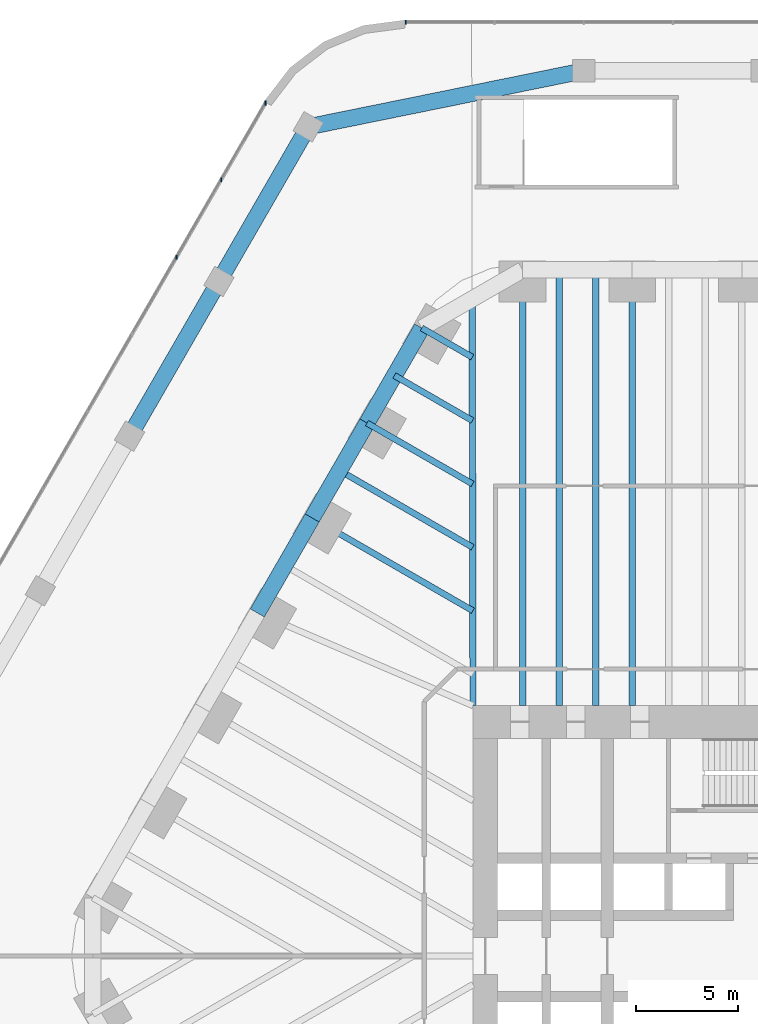
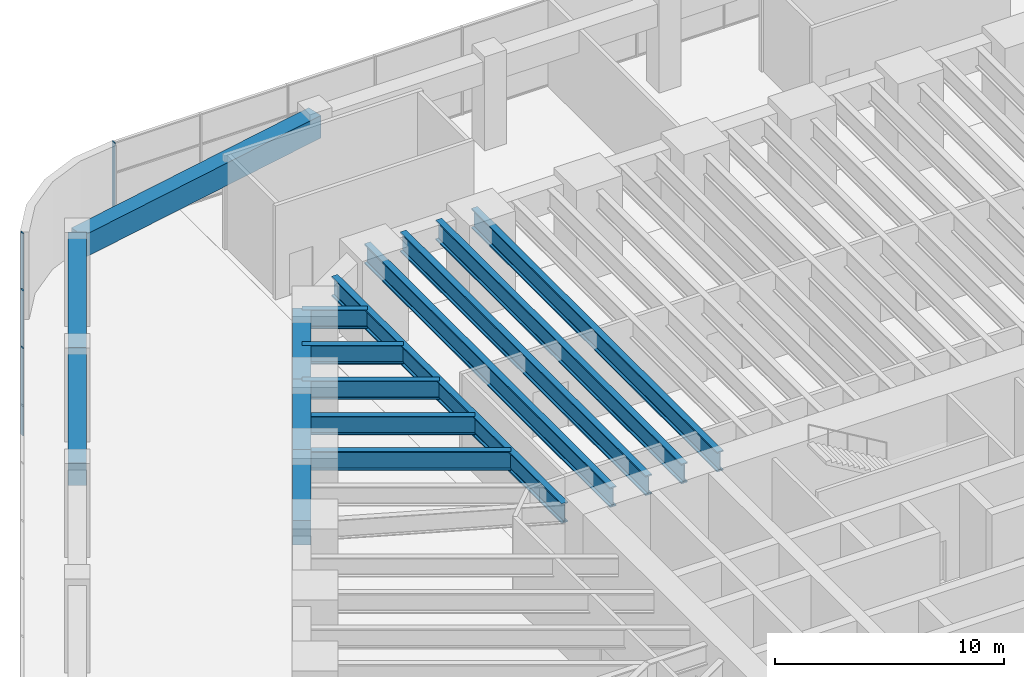
# One storey, part 16 of 31: 16 beams, 4 members, 2 elements without a shape of their own.
"""IFC4 building model written with IfcOpenShell, lengths in metres."""

from ifc_helpers import new_model, si_unit, direction, frame, origin, origin_2d, place, context, subcontext, project, spatial, rectangle, i_section, extrude, material, material_profile, profile_set, type_object, element, aggregate, save


model = new_model("IFC4")

# Units and contexts
model_context = context("Model", 3, precision=1e-05, world=origin(), true_north=direction((0.0, 1.0)))
body_context = subcontext(model_context, "Body", "Model", "MODEL_VIEW")
ifc_project = project(units=[si_unit("LENGTHUNIT", "METRE"), si_unit("AREAUNIT", "SQUARE_METRE"), si_unit("VOLUMEUNIT", "CUBIC_METRE"), si_unit("PLANEANGLEUNIT", "RADIAN"), si_unit("MASSUNIT", "GRAM", prefix="KILO")], contexts=[model_context])

# Site, building, storey
site_placement = place(None, origin())
site = spatial("IfcSite", under=ifc_project, at=site_placement, CompositionType="ELEMENT")
building_placement = place(site_placement, origin())
building = spatial("IfcBuilding", under=site, at=building_placement, Name="Tarfa Lantern Tower", CompositionType="ELEMENT")
storey_placement = place(building_placement, frame((0.0, 0.0, 18.5)))
storey = spatial("IfcBuildingStorey", under=building, at=storey_placement, Name="L03", CompositionType="ELEMENT", Elevation=18.5)

# Curtain wall, member
ifc_material_1 = material(Name="Aluminium framed curtain wall", Category="aluminium")
curtain_wall_type = type_object("IfcCurtainWallType", Name="CW7 PODIUM GLAZING 4650", PredefinedType="USERDEFINED", material=ifc_material_1)
curtain_wall_1_placement = place(storey_placement, origin())
curtain_wall_1 = element("IfcCurtainWall", 1, at=curtain_wall_1_placement, inside=storey, type_object=curtain_wall_type, Name="CW7 N L03", ObjectType="CURTAIN WALL", PredefinedType="USERDEFINED")
ifc_material_2 = material(Name="Aluminium mullion", Category="aluminium")
ifc_material_profile_1 = material_profile(ifc_material_2, rectangle(XDim=0.06494140625, YDim=0.199951171875, at=origin_2d()), Name="AL MULLION 65x200")
ifc_profile_set_1 = profile_set([ifc_material_profile_1], Name="Aluminium mullion")
member_type = type_object("IfcMemberType", Name="CWM1 MULLION 65x200", PredefinedType="MULLION", material=ifc_profile_set_1)
member_1_placement = place(storey_placement, frame((-21.90673828125, 45.89990234375, 0.0), z_axis=(0.0, 0.0, 1.0), x_axis=(1.0, 0.0, 0.0)))
member_1 = element("IfcMember", 2, at=member_1_placement, type_object=member_type, Name="CW7 mullion 11", PredefinedType="MULLION", context=body_context, shape_type="SweptSolid", body=[
    extrude(rectangle(XDim=0.06494140625, YDim=0.199951171875, at=origin_2d()), origin(), (0.0, 0.0, 1.0), 4.64990234375),
])
aggregate(curtain_wall_1, [member_1])

# Curtain wall, members
curtain_wall_2_placement = place(storey_placement, origin())
curtain_wall_2 = element("IfcCurtainWall", 3, at=curtain_wall_2_placement, inside=storey, type_object=curtain_wall_type, Name="CW7 NW L03", ObjectType="CURTAIN WALL", PredefinedType="USERDEFINED")
member_2_placement = place(storey_placement, frame((-28.797119140625, 41.921875, 0.0), z_axis=(0.0, 0.0, 1.0), x_axis=(1.0, 0.0, 0.0)))
member_2 = element("IfcMember", 4, at=member_2_placement, type_object=member_type, Name="CW7 mullion 1", PredefinedType="MULLION", context=body_context, shape_type="SweptSolid", body=[
    extrude(rectangle(XDim=0.06494140625, YDim=0.199951171875, at=origin_2d()), origin(), (0.0, 0.0, 1.0), 4.64990234375),
])
member_3_placement = place(storey_placement, frame((-30.974853515625, 38.14990234375, 0.0), z_axis=(0.0, 0.0, 1.0), x_axis=(1.0, 0.0, 0.0)))
member_3 = element("IfcMember", 5, at=member_3_placement, type_object=member_type, Name="CW7 mullion 2", PredefinedType="MULLION", context=body_context, shape_type="SweptSolid", body=[
    extrude(rectangle(XDim=0.06494140625, YDim=0.199951171875, at=origin_2d()), origin(), (0.0, 0.0, 1.0), 4.64990234375),
])
member_4_placement = place(storey_placement, frame((-33.168701171875, 34.35009765625, 0.0), z_axis=(0.0, 0.0, 1.0), x_axis=(1.0, 0.0, 0.0)))
member_4 = element("IfcMember", 6, at=member_4_placement, type_object=member_type, Name="CW7 mullion 3", PredefinedType="MULLION", context=body_context, shape_type="SweptSolid", body=[
    extrude(rectangle(XDim=0.06494140625, YDim=0.199951171875, at=origin_2d()), origin(), (0.0, 0.0, 1.0), 4.64990234375),
])
aggregate(curtain_wall_2, [member_2, member_3, member_4])

# Beams
ifc_material_3 = material(Name="Concrete C80/95", Category="concrete")
ifc_material_profile_2 = material_profile(ifc_material_3, rectangle(XDim=0.800048828125, YDim=1.300048828125, at=origin_2d()), Name="RC 800x1300")
ifc_profile_set_2 = profile_set([ifc_material_profile_2], Name="Concrete C80/95")
beam_type_1 = type_object("IfcBeamType", Name="EB1 RC 800x1300", PredefinedType="SPANDREL", material=ifc_profile_set_2)
for number, where, z_axis, x_axis, name in (
    (7, (-21.119384765625, 30.860107421875, 4.0), (-0.499998287579, -0.866026392449, 0.0), (0.866026392449, -0.499998287579, 0.0), "Edge beam NW0"),
    (8, (-23.813720703125, 26.193359375, 4.0), (-0.499998287579, -0.866026392449, 0.0), (0.866026392449, -0.499998287579, 0.0), "Edge beam NW1"),
):
    element("IfcBeam", number, at=place(storey_placement, frame(where, z_axis=z_axis, x_axis=x_axis)), inside=storey, type_object=beam_type_1, Name=name, PredefinedType="SPANDREL", context=body_context, shape_type="SweptSolid", body=[
        extrude(rectangle(XDim=0.800048828125, YDim=1.300048828125, at=origin_2d()), origin(), (0.0, 0.0, 1.0), 5.388671875),
    ])
beam_1_placement = place(storey_placement, frame((-26.508056640625, 21.526611328125, 4.0), z_axis=(-0.500017906299, -0.866015065331, 0.0), x_axis=(0.866015065331, -0.500017906299, 0.0)))
element("IfcBeam", 9, at=beam_1_placement, inside=storey, type_object=beam_type_1, Name="Edge beam NW2", PredefinedType="SPANDREL", context=body_context, shape_type="SweptSolid", body=[
    extrude(rectangle(XDim=0.800048828125, YDim=1.300048828125, at=origin_2d()), origin(), (0.0, 0.0, 1.0), 5.388427734375),
])
ifc_material_profile_3 = material_profile(ifc_material_3, rectangle(XDim=0.800048828125, YDim=1.199951171875, at=origin_2d()), Name="RC 800x1200")
ifc_profile_set_3 = profile_set([ifc_material_profile_3], Name="Concrete C80/95")
beam_type_2 = type_object("IfcBeamType", Name="PB2 RC 800x1200", PredefinedType="BEAM", material=ifc_profile_set_3)
beam_2_placement = place(storey_placement, frame((-13.16357421875, 43.5, 4.050048828125), z_axis=(-0.979988342999, -0.199054885863, 0.0), x_axis=(0.199054885863, -0.979988342999, 0.0)))
element("IfcBeam", 10, at=beam_2_placement, inside=storey, type_object=beam_type_2, Name="Podium ring beam N4", PredefinedType="BEAM", context=body_context, shape_type="SweptSolid", body=[
    extrude(rectangle(XDim=0.800048828125, YDim=1.199951171875, at=origin_2d()), origin(), (0.0, 0.0, 1.0), 13.815185546875),
])
beam_3_placement = place(storey_placement, frame((-26.702392578125, 40.75, 4.050048828125), z_axis=(-0.50000179687, -0.866024366359, 0.0), x_axis=(0.866024366359, -0.50000179687, 0.0)))
element("IfcBeam", 11, at=beam_3_placement, inside=storey, type_object=beam_type_2, Name="Podium ring beam NW0", PredefinedType="BEAM", context=body_context, shape_type="SweptSolid", body=[
    extrude(rectangle(XDim=0.800048828125, YDim=1.199951171875, at=origin_2d()), origin(), (0.0, 0.0, 1.0), 8.77587890625),
])
beam_4_placement = place(storey_placement, frame((-31.09033203125, 33.14990234375, 4.050048828125), z_axis=(-0.500013843384, -0.866017411155, 0.0), x_axis=(0.866017411155, -0.500013843384, 0.0)))
element("IfcBeam", 12, at=beam_4_placement, inside=storey, type_object=beam_type_2, Name="Podium ring beam NW1", PredefinedType="BEAM", context=body_context, shape_type="SweptSolid", body=[
    extrude(rectangle(XDim=0.800048828125, YDim=1.199951171875, at=origin_2d()), origin(), (0.0, 0.0, 1.0), 8.775634765625),
])
ifc_material_4 = material(Name="Steel S460M", Category="steel")
ifc_material_profile_4 = material_profile(ifc_material_4, i_section(OverallWidth=0.302001953125, OverallDepth=1.008056640625, WebThickness=0.02099609375, FlangeThickness=0.0400390625, FilletRadius=0.030029296875, at=origin_2d()), Name="UB1016x305x349")
ifc_profile_set_4 = profile_set([ifc_material_profile_4], Name="Steel S460M")
beam_type_3 = type_object("IfcBeamType", Name="UB1016x305x349", PredefinedType="BEAM", material=ifc_profile_set_4)
beam_5_placement = place(storey_placement, frame((-21.119384765625, 30.860107421875, 4.14599609375), z_axis=(0.866012580594, -0.500022209759, 0.0), x_axis=(0.500022209759, 0.866012580594, 0.0)))
element("IfcBeam", 13, at=beam_5_placement, inside=storey, type_object=beam_type_3, Name="Floor beam NW0", PredefinedType="BEAM", context=body_context, shape_type="SweptSolid", body=[
    extrude(i_section(OverallWidth=0.302001953125, OverallDepth=1.008056640625, WebThickness=0.02099609375, FlangeThickness=0.0400390625, FilletRadius=0.030029296875, at=origin_2d()), origin(), (0.0, 0.0, 1.0), 2.866943359375),
])
beam_6_placement = place(storey_placement, frame((-23.813720703125, 26.193359375, 4.14599609375), z_axis=(0.866015997389, -0.500016292001, 0.0), x_axis=(0.500016292001, 0.866015997389, 0.0)))
element("IfcBeam", 14, at=beam_6_placement, inside=storey, type_object=beam_type_3, Name="Floor beam NW1", PredefinedType="BEAM", context=body_context, shape_type="SweptSolid", body=[
    extrude(i_section(OverallWidth=0.302001953125, OverallDepth=1.008056640625, WebThickness=0.02099609375, FlangeThickness=0.0400390625, FilletRadius=0.030029296875, at=origin_2d()), origin(), (0.0, 0.0, 1.0), 5.993408203125),
])
beam_7_placement = place(storey_placement, frame((-26.508056640625, 21.526611328125, 4.14599609375), z_axis=(0.866035355799, -0.49998276221, 0.0), x_axis=(0.49998276221, 0.866035355799, 0.0)))
element("IfcBeam", 15, at=beam_7_placement, inside=storey, type_object=beam_type_3, Name="Floor beam NW2", PredefinedType="BEAM", context=body_context, shape_type="SweptSolid", body=[
    extrude(i_section(OverallWidth=0.302001953125, OverallDepth=1.008056640625, WebThickness=0.02099609375, FlangeThickness=0.0400390625, FilletRadius=0.030029296875, at=origin_2d()), origin(), (0.0, 0.0, 1.0), 9.119873046875),
])
beam_8_placement = place(storey_placement, frame((-22.466552734375, 28.526611328125, 4.14599609375), z_axis=(0.866026823135, -0.499997541604, 0.0), x_axis=(0.499997541604, 0.866026823135, 0.0)))
element("IfcBeam", 16, at=beam_8_placement, inside=storey, type_object=beam_type_3, Name="Floor beam NW0M", PredefinedType="BEAM", context=body_context, shape_type="SweptSolid", body=[
    extrude(i_section(OverallWidth=0.302001953125, OverallDepth=1.008056640625, WebThickness=0.02099609375, FlangeThickness=0.0400390625, FilletRadius=0.030029296875, at=origin_2d()), origin(), (0.0, 0.0, 1.0), 4.43017578125),
])
beam_9_placement = place(storey_placement, frame((-25.160888671875, 23.860107421875, 4.14599609375), z_axis=(0.866009650502, -0.500027284493, 0.0), x_axis=(0.500027284493, 0.866009650502, 0.0)))
element("IfcBeam", 17, at=beam_9_placement, inside=storey, type_object=beam_type_3, Name="Floor beam NW1M", PredefinedType="BEAM", context=body_context, shape_type="SweptSolid", body=[
    extrude(i_section(OverallWidth=0.302001953125, OverallDepth=1.008056640625, WebThickness=0.02099609375, FlangeThickness=0.0400390625, FilletRadius=0.030029296875, at=origin_2d()), origin(), (0.0, 0.0, 1.0), 7.556640625),
])
ifc_material_profile_5 = material_profile(ifc_material_4, i_section(OverallWidth=0.314208984375, OverallDepth=1.055908203125, WebThickness=0.035888671875, FlangeThickness=0.06396484375, FilletRadius=0.030029296875, at=origin_2d()), Name="UB1016x305x584")
ifc_profile_set_5 = profile_set([ifc_material_profile_5], Name="Steel S460M")
beam_type_4 = type_object("IfcBeamType", Name="UB1016x305x584", PredefinedType="BEAM", material=ifc_profile_set_5)
beam_10_placement = place(storey_placement, frame((-18.60009765625, 12.300048828125, 4.1220703125), z_axis=(-0.00212508222, 0.99999774201, 0.0), x_axis=(-0.99999774201, -0.00212508222, 0.0)))
element("IfcBeam", 18, at=beam_10_placement, inside=storey, type_object=beam_type_4, Name="Hip girder NW", PredefinedType="BEAM", context=body_context, shape_type="SweptSolid", body=[
    extrude(i_section(OverallWidth=0.314208984375, OverallDepth=1.055908203125, WebThickness=0.035888671875, FlangeThickness=0.06396484375, FilletRadius=0.030029296875, at=origin_2d()), origin(), (0.0, 0.0, 1.0), 19.989990234375),
])
for number, where, z_axis, x_axis, name in (
    (19, (-10.777099609375, 33.719970703125, 4.1220703125), (0.0, -1.0, 0.0), (1.0, 0.0, 0.0), "Floor beam N5"),
    (20, (-16.165771484375, 33.719970703125, 4.1220703125), (0.0, -1.0, 0.0), (1.0, 0.0, 0.0), "Floor beam N6"),
    (21, (-12.573486328125, 33.719970703125, 4.1220703125), (0.0, -1.0, 0.0), (1.0, 0.0, 0.0), "Floor beam N5M1"),
    (22, (-14.36962890625, 33.719970703125, 4.1220703125), (0.0, -1.0, 0.0), (1.0, 0.0, 0.0), "Floor beam N5M2"),
):
    element("IfcBeam", number, at=place(storey_placement, frame(where, z_axis=z_axis, x_axis=x_axis)), inside=storey, type_object=beam_type_4, Name=name, PredefinedType="BEAM", context=body_context, shape_type="SweptSolid", body=[
        extrude(i_section(OverallWidth=0.314208984375, OverallDepth=1.055908203125, WebThickness=0.035888671875, FlangeThickness=0.06396484375, FilletRadius=0.030029296875, at=origin_2d()), origin(), (0.0, 0.0, 1.0), 21.419921875),
    ])

save(model, "model.ifc")
